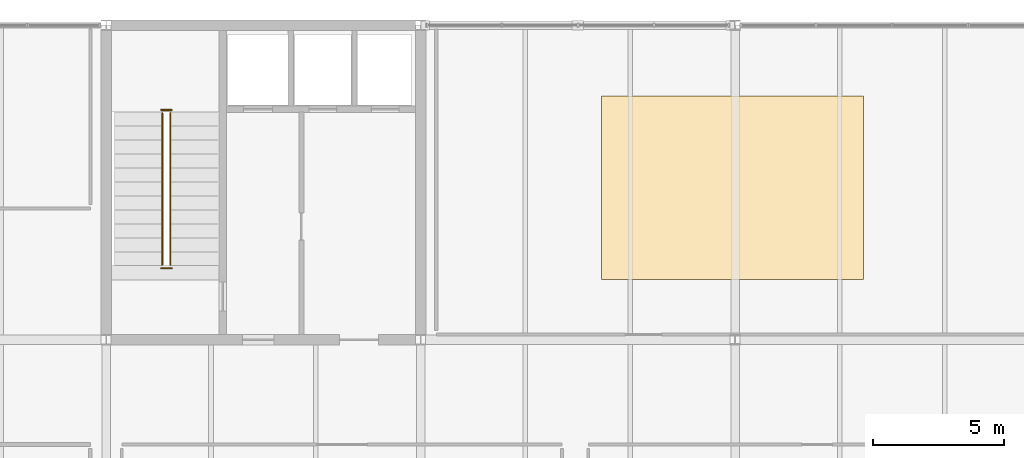
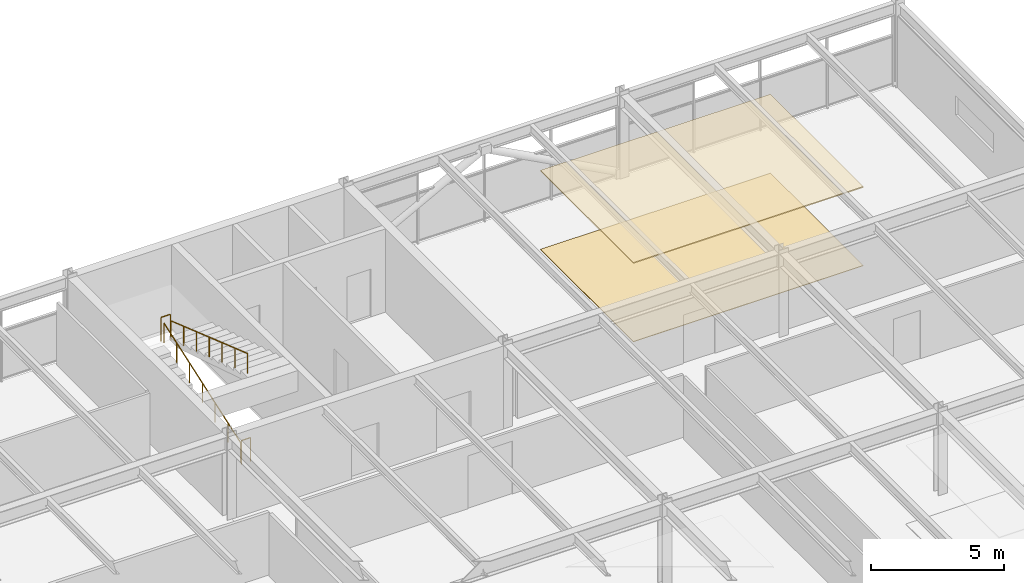
# One storey, part 51 of 51: 4 railings, 2 coverings.
"""IFC4 building model written with IfcOpenShell, lengths in metres."""

from ifc_helpers import new_model, si_unit, direction, frame, origin, origin_2d, place, context, subcontext, project, spatial, rectangle, circle, extrude, material, layer, layer_set, type_object, element, save


model = new_model("IFC4")

# Units and contexts
model_context = context("Model", 3, precision=1e-05, world=origin(), true_north=direction((0.0, 1.0)))
body_context = subcontext(model_context, "Body", "Model", "MODEL_VIEW")
ifc_project = project(units=[si_unit("LENGTHUNIT", "METRE"), si_unit("AREAUNIT", "SQUARE_METRE"), si_unit("VOLUMEUNIT", "CUBIC_METRE"), si_unit("PLANEANGLEUNIT", "RADIAN"), si_unit("MASSUNIT", "GRAM", prefix="KILO")], contexts=[model_context])

# Site, building, storey
site_placement = place(None, origin())
site = spatial("IfcSite", under=ifc_project, at=site_placement, CompositionType="ELEMENT")
building_placement = place(site_placement, origin())
building = spatial("IfcBuilding", under=site, at=building_placement, Name="Girod Span Mobility Hub", CompositionType="ELEMENT")
storey_placement = place(building_placement, frame((0.0, 0.0, 41.60009765625)))
storey = spatial("IfcBuildingStorey", under=building, at=storey_placement, Name="L10", CompositionType="ELEMENT", Elevation=41.60009765625)

# Coverings
ifc_material_1 = material(Name="Perforated Mineral-Fibre Acoustic Ceiling Tile", Category="mineral")
ifc_layer_1 = layer(ifc_material_1, 0.050048828125)
ifc_layer_set_1 = layer_set([ifc_layer_1], Name="Perforated Mineral-Fibre Acoustic Ceiling Tile")
covering_type_1 = type_object("IfcCoveringType", Name="COV-CLG-1000X700", PredefinedType="CEILING", material=ifc_layer_set_1)
covering_1_placement = place(storey_placement, frame((131.89990234375, 62.800048828125, 3.60498046875), z_axis=(0.0, 0.0, 1.0), x_axis=(1.0, 0.0, 0.0)))
element("IfcCovering", 1, at=covering_1_placement, inside=storey, type_object=covering_type_1, Name="Engineering Studio East L10 Acoustic Ceiling", PredefinedType="CEILING", context=body_context, shape_type="SweptSolid", body=[
    extrude(rectangle(XDim=10.0, YDim=7.0, at=origin_2d()), origin(), (0.0, 0.0, 1.0), 0.050048828125),
])
ifc_material_2 = material(Name="Epoxy Terrazzo and Raised Access Flooring", Category="polymer")
ifc_layer_2 = layer(ifc_material_2, 0.02490234375)
ifc_layer_set_2 = layer_set([ifc_layer_2], Name="Epoxy Terrazzo and Raised Access Flooring")
covering_type_2 = type_object("IfcCoveringType", Name="COV-FLR-1000X700", PredefinedType="FLOORING", material=ifc_layer_set_2)
covering_2_placement = place(storey_placement, frame((131.89990234375, 62.800048828125, 0.0), z_axis=(0.0, 0.0, 1.0), x_axis=(1.0, 0.0, 0.0)))
element("IfcCovering", 2, at=covering_2_placement, inside=storey, type_object=covering_type_2, Name="Engineering Studio East L10 Floor Finish", PredefinedType="FLOORING", context=body_context, shape_type="SweptSolid", body=[
    extrude(rectangle(XDim=10.0, YDim=7.0, at=origin_2d()), origin(), (0.0, 0.0, 1.0), 0.02490234375),
])

# Railings
ifc_material_3 = material(Name="Painted Galvanised Steel", Category="steel")
ifc_layer_3 = layer(ifc_material_3, 0.06494140625)
ifc_layer_set_3 = layer_set([ifc_layer_3], Name="Painted Galvanised Steel")
railing_type_1 = type_object("IfcRailingType", Name="RL-GRD-1120", PredefinedType="GUARDRAIL", material=ifc_layer_set_3)
for number, where, name in (
    (3, (110.10009765625, 65.77001953125, 2.0), "Stair ST-2 Half-Landing Well Guard L10"),
    (4, (110.10009765625, 59.72998046875, 0.0), "Stair ST-2 Landing Well Guard L10"),
):
    element("IfcRailing", number, at=place(storey_placement, frame(where)), inside=storey, type_object=railing_type_1, Name=name, PredefinedType="GUARDRAIL", context=body_context, shape_type="SweptSolid", body=[
        extrude(circle(Radius=0.02392578125, at=origin_2d()), frame((0.0, 0.0, 1.09619140625), z_axis=(1.0, 0.0, 0.0), x_axis=(0.0, 1.0, 0.0)), (0.0, 0.0, 1.0), 0.39990234375),
        extrude(circle(Radius=0.02099609375, at=origin_2d()), origin(), (0.0, 0.0, 1.0), 1.072021484375),
        extrude(circle(Radius=0.02099609375, at=origin_2d()), frame((0.39990234375, 0.0, 0.0)), (0.0, 0.0, 1.0), 1.072021484375),
    ])
ifc_material_4 = material(Name="Painted Galvanised Steel", Category="steel")
ifc_layer_4 = layer(ifc_material_4, 0.050048828125)
ifc_layer_set_4 = layer_set([ifc_layer_4], Name="Painted Galvanised Steel")
railing_type_2 = type_object("IfcRailingType", Name="RL-HR-920", PredefinedType="HANDRAIL", material=ifc_layer_set_4)
railing_1_placement = place(storey_placement, frame((110.14990234375, 59.860107421875, 0.0)))
element("IfcRailing", 5, at=railing_1_placement, inside=storey, type_object=railing_type_2, Name="Stair ST-2 Flight 1 Handrail L10", PredefinedType="HANDRAIL", context=body_context, shape_type="SweptSolid", body=[
    extrude(circle(Radius=0.02392578125, at=origin_2d()), frame((0.0, 0.0, 0.89599609375), z_axis=(0.0, 0.945021187488, 0.327009105681), x_axis=(-1.0, 0.0, 0.0)), (0.0, 0.0, 1.0), 6.115966796875),
    extrude(circle(Radius=0.02099609375, at=origin_2d()), origin(), (0.0, 0.0, 1.0), 0.871826171875),
    extrude(circle(Radius=0.02099609375, at=origin_2d()), frame((0.0, 0.96337890625, 0.333251953125)), (0.0, 0.0, 1.0), 0.871826171875),
    extrude(circle(Radius=0.02099609375, at=origin_2d()), frame((0.0, 1.926513671875, 0.666748046875)), (0.0, 0.0, 1.0), 0.871826171875),
    extrude(circle(Radius=0.02099609375, at=origin_2d()), frame((0.0, 2.889892578125, 1.0)), (0.0, 0.0, 1.0), 0.871826171875),
    extrude(circle(Radius=0.02099609375, at=origin_2d()), frame((0.0, 3.853271484375, 1.333251953125)), (0.0, 0.0, 1.0), 0.871826171875),
    extrude(circle(Radius=0.02099609375, at=origin_2d()), frame((0.0, 4.81640625, 1.666748046875)), (0.0, 0.0, 1.0), 0.871826171875),
    extrude(circle(Radius=0.02099609375, at=origin_2d()), frame((0.0, 5.77978515625, 2.0)), (0.0, 0.0, 1.0), 0.871826171875),
])
railing_2_placement = place(storey_placement, frame((110.449951171875, 65.639892578125, 2.0)))
element("IfcRailing", 6, at=railing_2_placement, inside=storey, type_object=railing_type_2, Name="Stair ST-2 Flight 2 Handrail L10", PredefinedType="HANDRAIL", context=body_context, shape_type="SweptSolid", body=[
    extrude(circle(Radius=0.02392578125, at=origin_2d()), frame((0.0, 0.0, 0.89599609375), z_axis=(0.0, -0.945021187488, 0.327009105681), x_axis=(1.0, 0.0, 0.0)), (0.0, 0.0, 1.0), 6.115966796875),
    extrude(circle(Radius=0.02099609375, at=origin_2d()), origin(), (0.0, 0.0, 1.0), 0.871826171875),
    extrude(circle(Radius=0.02099609375, at=origin_2d()), frame((0.0, -0.96337890625, 0.333251953125)), (0.0, 0.0, 1.0), 0.871826171875),
    extrude(circle(Radius=0.02099609375, at=origin_2d()), frame((0.0, -1.926513671875, 0.666748046875)), (0.0, 0.0, 1.0), 0.871826171875),
    extrude(circle(Radius=0.02099609375, at=origin_2d()), frame((0.0, -2.889892578125, 1.0)), (0.0, 0.0, 1.0), 0.871826171875),
    extrude(circle(Radius=0.02099609375, at=origin_2d()), frame((0.0, -3.853271484375, 1.333251953125)), (0.0, 0.0, 1.0), 0.871826171875),
    extrude(circle(Radius=0.02099609375, at=origin_2d()), frame((0.0, -4.81640625, 1.666748046875)), (0.0, 0.0, 1.0), 0.871826171875),
    extrude(circle(Radius=0.02099609375, at=origin_2d()), frame((0.0, -5.77978515625, 2.0)), (0.0, 0.0, 1.0), 0.871826171875),
])

save(model, "model.ifc")
